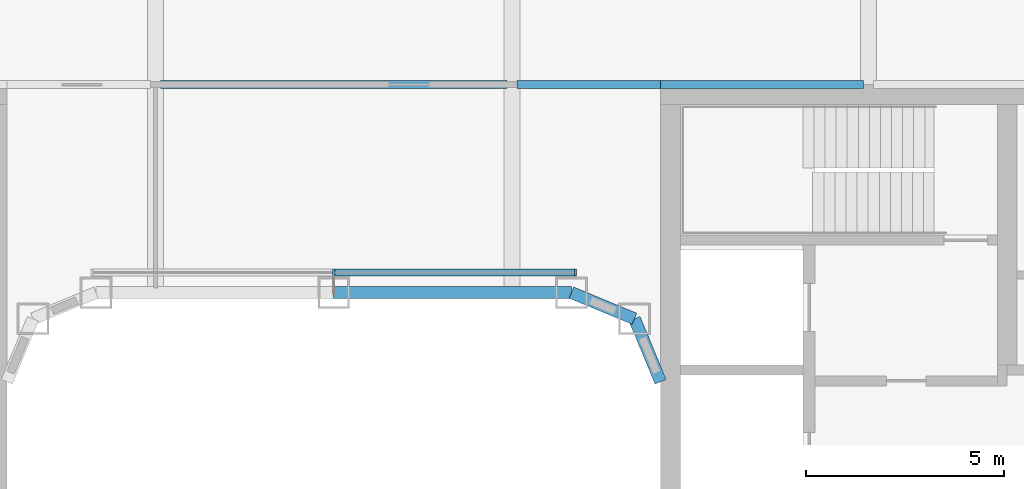
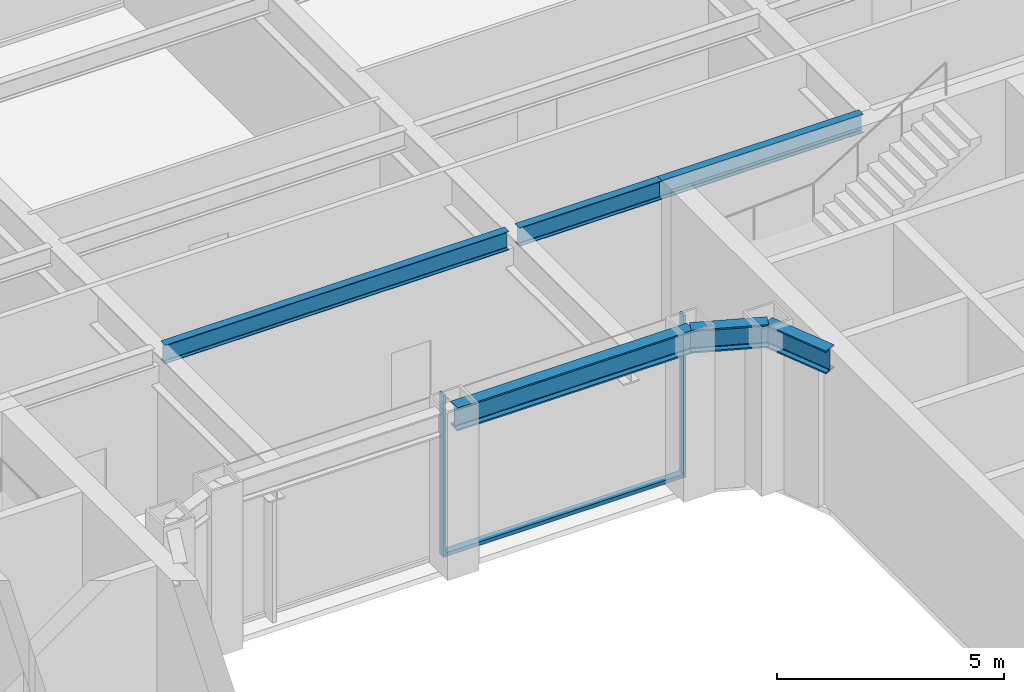
# One storey, part 8 of 27: 6 beams, 3 members, 1 element without a shape of its own.
"""IFC4 building model written with IfcOpenShell, lengths in metres."""

from ifc_helpers import new_model, si_unit, direction, frame, origin, origin_2d, place, context, subcontext, project, spatial, rectangle, i_section, extrude, material, layer, layer_set, material_profile, profile_set, type_object, element, aggregate, save


model = new_model("IFC4")

# Units and contexts
model_context = context("Model", 3, precision=1e-05, world=origin(), true_north=direction((0.0, 1.0)))
body_context = subcontext(model_context, "Body", "Model", "MODEL_VIEW")
ifc_project = project(units=[si_unit("LENGTHUNIT", "METRE"), si_unit("AREAUNIT", "SQUARE_METRE"), si_unit("VOLUMEUNIT", "CUBIC_METRE"), si_unit("PLANEANGLEUNIT", "RADIAN"), si_unit("MASSUNIT", "GRAM", prefix="KILO")], contexts=[model_context])

# Site, building, storey
site_placement = place(None, origin())
site = spatial("IfcSite", under=ifc_project, at=site_placement, CompositionType="ELEMENT")
building_placement = place(site_placement, origin())
building = spatial("IfcBuilding", under=site, at=building_placement, Name="Siwar Civic Tower", CompositionType="ELEMENT")
storey_placement = place(building_placement, frame((0.0, 0.0, 35.699951171875)))
storey = spatial("IfcBuildingStorey", under=building, at=storey_placement, Name="L07", CompositionType="ELEMENT", Elevation=35.699951171875)

# Curtain wall, members
ifc_material_1 = material(Name="Aluminium and glass", Category="aluminium")
ifc_layer = layer(ifc_material_1, 0.179931640625)
ifc_layer_set = layer_set([ifc_layer], Name="Aluminium and glass")
curtain_wall_type = type_object("IfcCurtainWallType", Name="ENV-CW-W", PredefinedType="NOTDEFINED", material=ifc_layer_set)
curtain_wall_placement = place(storey_placement, origin())
curtain_wall = element("IfcCurtainWall", 1, at=curtain_wall_placement, inside=storey, type_object=curtain_wall_type, Name="Curtain wall W WN", PredefinedType="NOTDEFINED")
ifc_material_2 = material(Name="Aluminium 6063-T6", Category="aluminium")
ifc_material_profile_1 = material_profile(ifc_material_2, rectangle(XDim=0.179931640625, YDim=0.06005859375, at=origin_2d()), Name="AL 180x60")
ifc_profile_set_1 = profile_set([ifc_material_profile_1], Name="Aluminium 6063-T6")
member_type_1 = type_object("IfcMemberType", Name="ENV-MULLION-W", PredefinedType="MULLION", material=ifc_profile_set_1)
member_1_placement = place(storey_placement, frame((6.1015625, 8.760009765625, 0.0), z_axis=(0.0, 0.0, 1.0), x_axis=(0.0, -1.0, 0.0)))
member_1 = element("IfcMember", 2, at=member_1_placement, type_object=member_type_1, Name="Mullion W WN 1", PredefinedType="MULLION", context=body_context, shape_type="SweptSolid", body=[
    extrude(rectangle(XDim=0.179931640625, YDim=0.06005859375, at=origin_2d()), origin(), (0.0, 0.0, 1.0), 4.35009765625),
])
member_2_placement = place(storey_placement, frame((0.0, 8.760009765625, 0.0), z_axis=(0.0, 0.0, 1.0), x_axis=(0.0, -1.0, 0.0)))
member_2 = element("IfcMember", 3, at=member_2_placement, type_object=member_type_1, Name="Mullion W WN 2", PredefinedType="MULLION", context=body_context, shape_type="SweptSolid", body=[
    extrude(rectangle(XDim=0.179931640625, YDim=0.06005859375, at=origin_2d()), origin(), (0.0, 0.0, 1.0), 4.35009765625),
])
ifc_material_3 = material(Name="Aluminium 6063-T6", Category="aluminium")
ifc_material_profile_2 = material_profile(ifc_material_3, rectangle(XDim=0.179931640625, YDim=0.10009765625, at=origin_2d()), Name="AL 180x100")
ifc_profile_set_2 = profile_set([ifc_material_profile_2], Name="Aluminium 6063-T6")
member_type_2 = type_object("IfcMemberType", Name="ENV-TRANSOM-W", PredefinedType="USERDEFINED", material=ifc_profile_set_2)
member_3_placement = place(storey_placement, frame((6.071533203125, 8.760009765625, 0.050048828125), z_axis=(-1.0, 0.0, 0.0), x_axis=(0.0, -1.0, 0.0)))
member_3 = element("IfcMember", 4, at=member_3_placement, type_object=member_type_2, Name="Transom W WN 1", ObjectType="TRANSOM", PredefinedType="USERDEFINED", context=body_context, shape_type="SweptSolid", body=[
    extrude(rectangle(XDim=0.179931640625, YDim=0.10009765625, at=origin_2d()), origin(), (0.0, 0.0, 1.0), 6.04150390625),
])
aggregate(curtain_wall, [member_1, member_2, member_3])

# Beams
ifc_material_4 = material(Name="Steel S355", Category="steel")
ifc_material_profile_3 = material_profile(ifc_material_4, i_section(OverallWidth=0.199951171875, OverallDepth=0.5, WebThickness=0.01025390625, FlangeThickness=0.01611328125, FilletRadius=0.02099609375, at=origin_2d()), Name="IPE500")
ifc_profile_set_3 = profile_set([ifc_material_profile_3], Name="Steel S355")
beam_type_1 = type_object("IfcBeamType", Name="STR-FB-IPE500", PredefinedType="JOIST", material=ifc_profile_set_3)
beam_1_placement = place(storey_placement, frame((-4.3701171875, 13.5, 4.10009765625), z_axis=(1.0, 0.0, 0.0), x_axis=(0.0, 1.0, 0.0)))
element("IfcBeam", 5, at=beam_1_placement, inside=storey, type_object=beam_type_1, Name="L07/bm/F041", PredefinedType="JOIST", context=body_context, shape_type="SweptSolid", body=[
    extrude(i_section(OverallWidth=0.199951171875, OverallDepth=0.5, WebThickness=0.01025390625, FlangeThickness=0.01611328125, FilletRadius=0.02099609375, at=origin_2d()), origin(), (0.0, 0.0, 1.0), 8.740234375),
])
beam_2_placement = place(storey_placement, frame((4.6298828125, 13.5, 4.10009765625), z_axis=(1.0, 0.0, 0.0), x_axis=(0.0, 1.0, 0.0)))
element("IfcBeam", 6, at=beam_2_placement, inside=storey, type_object=beam_type_1, Name="L07/bm/F042", PredefinedType="JOIST", context=body_context, shape_type="SweptSolid", body=[
    extrude(i_section(OverallWidth=0.199951171875, OverallDepth=0.5, WebThickness=0.01025390625, FlangeThickness=0.01611328125, FilletRadius=0.02099609375, at=origin_2d()), origin(), (0.0, 0.0, 1.0), 3.6201171875),
])
beam_3_placement = place(storey_placement, frame((8.25, 13.5, 4.10009765625), z_axis=(1.0, 0.0, 0.0), x_axis=(0.0, 1.0, 0.0)))
element("IfcBeam", 7, at=beam_3_placement, inside=storey, type_object=beam_type_1, Name="L07/bm/F043", PredefinedType="JOIST", context=body_context, shape_type="SweptSolid", body=[
    extrude(i_section(OverallWidth=0.199951171875, OverallDepth=0.5, WebThickness=0.01025390625, FlangeThickness=0.01611328125, FilletRadius=0.02099609375, at=origin_2d()), origin(), (0.0, 0.0, 1.0), 5.1201171875),
])
ifc_material_5 = material(Name="Steel S355", Category="steel")
ifc_material_profile_4 = material_profile(ifc_material_5, i_section(OverallWidth=0.304931640625, OverallDepth=0.6201171875, WebThickness=0.02099609375, FlangeThickness=0.0400390625, FilletRadius=0.027099609375, at=origin_2d()), Name="HEM600")
ifc_profile_set_4 = profile_set([ifc_material_profile_4], Name="Steel S355")
beam_type_2 = type_object("IfcBeamType", Name="STR-RB-HEM600", PredefinedType="BEAM", material=ifc_profile_set_4)
beam_4_placement = place(storey_placement, frame((0.0, 8.25, 4.0400390625), z_axis=(1.0, 0.0, 0.0), x_axis=(0.0, 1.0, 0.0)))
element("IfcBeam", 8, at=beam_4_placement, inside=storey, type_object=beam_type_2, Name="L07/bm/RN2", PredefinedType="BEAM", context=body_context, shape_type="SweptSolid", body=[
    extrude(i_section(OverallWidth=0.304931640625, OverallDepth=0.6201171875, WebThickness=0.02099609375, FlangeThickness=0.0400390625, FilletRadius=0.027099609375, at=origin_2d()), origin(), (0.0, 0.0, 1.0), 6.0),
])
for number, where, z_axis, x_axis, name in (
    (9, (6.0, 8.25, 4.0400390625), (0.923901072997, -0.382631424892, 0.0), (0.382631424892, 0.923901072997, 0.0), "L07/bm/RN3"),
    (10, (7.591064453125, 7.591064453125, 4.0400390625), (0.382631424892, -0.923901072997, 0.0), (0.923901072997, 0.382631424892, 0.0), "L07/bm/RNEE"),
):
    element("IfcBeam", number, at=place(storey_placement, frame(where, z_axis=z_axis, x_axis=x_axis)), inside=storey, type_object=beam_type_2, Name=name, PredefinedType="BEAM", context=body_context, shape_type="SweptSolid", body=[
        extrude(i_section(OverallWidth=0.304931640625, OverallDepth=0.6201171875, WebThickness=0.02099609375, FlangeThickness=0.0400390625, FilletRadius=0.027099609375, at=origin_2d()), origin(), (0.0, 0.0, 1.0), 1.72216796875),
    ])

save(model, "model.ifc")
